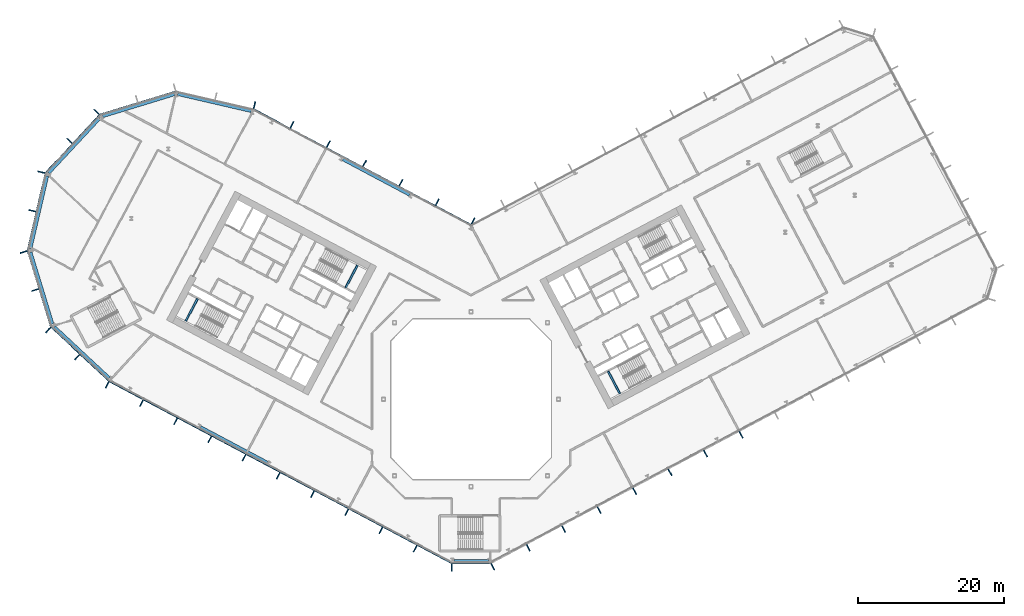
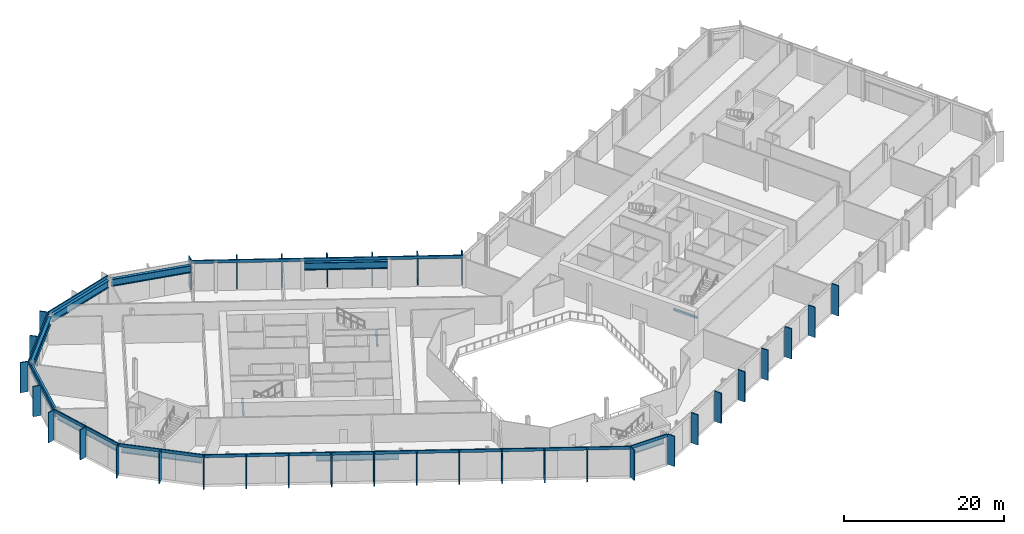
# One storey, part 7 of 31: 42 members, 12 beams, 10 elements without a shape of their own.
"""IFC4 building model written with IfcOpenShell, lengths in metres."""

import ifcopenshell
import ifcopenshell.guid

model = None  # the IFC model being written
_history = None  # IfcOwnerHistory: only IFC2X3 demands one
_inside = {}  # id of a spatial element -> (the spatial element, [elements in it])
_under = {}  # id of a project, library or spatial element -> (it, [spatial elements below it])
_declared = {}  # id of a project -> (the project, [libraries it declares])
_typed = {}  # id of a type object -> (the type object, [elements of that type])
_made_of = {}  # id of a material, layer set ... -> (it, [elements and type objects made of it])


def new_model(schema):
    """Start an empty IFC model of exactly this schema.

    Asked for "IFC4X3", IfcOpenShell would pick the latest addendum, in which some entities
    have other attributes; the version numbers below select the first issue.
    IFC2X3 requires an IfcOwnerHistory on every rooted entity: one is made here for all.
    """
    global model, _history
    if schema == "IFC4X3":
        model = ifcopenshell.file(schema_version=(4, 3, 0, 0))
    else:
        model = ifcopenshell.file(schema=schema)
    _inside.clear()
    _under.clear()
    _declared.clear()
    _typed.clear()
    _made_of.clear()
    _history = None
    if model.schema == "IFC2X3":
        org = make("IfcOrganization", Name="unknown")
        user = make(
            "IfcPersonAndOrganization",
            ThePerson=make("IfcPerson", FamilyName="unknown"),
            TheOrganization=org,
        )
        app = make(
            "IfcApplication",
            ApplicationDeveloper=org,
            Version="unknown",
            ApplicationFullName="unknown",
            ApplicationIdentifier="unknown",
        )
        _history = make(
            "IfcOwnerHistory",
            OwningUser=user,
            OwningApplication=app,
            ChangeAction="ADDED",
            CreationDate=0,
        )
    return model


def make(cls, **values):
    """One entity of the class cls with the attributes given. An attribute that is None is left unset."""
    return model.create_entity(
        cls, **{name: value for name, value in values.items() if value is not None}
    )


def rooted(cls, **values):
    """An entity with a GlobalId (a new one), such as an element, a storey or a relation."""
    return make(cls, GlobalId=ifcopenshell.guid.new(), OwnerHistory=_history, **values)


def si_unit(unit_type, name, prefix=None):
    """IfcSIUnit, for example si_unit("LENGTHUNIT", "METRE", prefix="MILLI")."""
    return make("IfcSIUnit", UnitType=unit_type, Prefix=prefix, Name=name)


def assignment(units):
    """IfcUnitAssignment: the units of a project."""
    return None if units is None else make("IfcUnitAssignment", Units=units)


def point(xyz):
    """IfcCartesianPoint."""
    return None if xyz is None else make("IfcCartesianPoint", Coordinates=xyz)


def direction(xyz):
    """IfcDirection."""
    return None if xyz is None else make("IfcDirection", DirectionRatios=xyz)


def frame(location, z_axis=None, x_axis=None):
    """IfcAxis2Placement3D, a coordinate frame: its origin and axes. An axis left out is left unset."""
    return make(
        "IfcAxis2Placement3D",
        Location=point(location),
        Axis=direction(z_axis),
        RefDirection=direction(x_axis),
    )


def frame_2d(location, x_axis=None):
    """IfcAxis2Placement2D, a coordinate frame in the plane: its origin and x axis."""
    return make(
        "IfcAxis2Placement2D", Location=point(location), RefDirection=direction(x_axis)
    )


def origin():
    """The frame at (0, 0, 0) with its axes left unset."""
    return frame((0.0, 0.0, 0.0))


def origin_2d():
    """The frame at (0, 0) in the plane with its x axis left unset."""
    return frame_2d((0.0, 0.0))


def place(relative_to, where):
    """IfcLocalPlacement: puts the frame where relative to a parent placement (None: the world)."""
    return make(
        "IfcLocalPlacement", PlacementRelTo=relative_to, RelativePlacement=where
    )


def context(
    kind, dimensions, precision=None, world=None, true_north=None, identifier=None
):
    """IfcGeometricRepresentationContext, for example the 3D "Model" context."""
    return make(
        "IfcGeometricRepresentationContext",
        ContextIdentifier=identifier,
        ContextType=kind,
        CoordinateSpaceDimension=dimensions,
        Precision=precision,
        WorldCoordinateSystem=world,
        TrueNorth=true_north,
    )


def subcontext(parent, identifier, kind, view, scale=None):
    """IfcGeometricRepresentationSubContext, for example "Body" below "Model"."""
    return make(
        "IfcGeometricRepresentationSubContext",
        ContextIdentifier=identifier,
        ContextType=kind,
        ParentContext=parent,
        TargetScale=scale,
        TargetView=view,
    )


def project(units=None, contexts=None):
    """IfcProject with its units and contexts."""
    return rooted(
        "IfcProject",
        Name="project",
        RepresentationContexts=contexts,
        UnitsInContext=assignment(units),
    )


def spatial(cls, under=None, at=None, **own):
    """A site, building, storey or space (cls), placed at a placement, below another one or the project."""
    s = rooted(cls, ObjectPlacement=at, **own)
    if under is not None:
        _under.setdefault(under.id(), (under, []))[1].append(s)
    return s


def profile(cls, at=None, kind="AREA", **sizes):
    """A parametric profile (cls). Its sizes go by their IFC names, for example OverallWidth=200.0."""
    return make(cls, ProfileType=kind, Position=at, **sizes)


def rectangle(**sizes):
    """IfcRectangleProfileDef."""
    return profile("IfcRectangleProfileDef", **sizes)


def i_section(**sizes):
    """IfcIShapeProfileDef."""
    return profile("IfcIShapeProfileDef", **sizes)


def extrude(swept, where, along, depth):
    """IfcExtrudedAreaSolid: the profile swept, set in the frame where, extruded along a direction by depth."""
    return make(
        "IfcExtrudedAreaSolid",
        SweptArea=swept,
        Position=where,
        ExtrudedDirection=direction(along),
        Depth=depth,
    )


def shape(context_of_items, identifier, shape_type, items):
    """IfcShapeRepresentation: the items that make up one representation, for example the "Body"."""
    return make(
        "IfcShapeRepresentation",
        ContextOfItems=context_of_items,
        RepresentationIdentifier=identifier,
        RepresentationType=shape_type,
        Items=items,
    )


def material(Name=None, Category=None):
    """IfcMaterial."""
    return make("IfcMaterial", Name=Name, Category=Category)


def layer(
    of_material, thickness, ventilated=None, Name=None, Category=None, Priority=None
):
    """IfcMaterialLayer: one layer of a wall or slab, of a material (None: an air gap)."""
    return make(
        "IfcMaterialLayer",
        Material=of_material,
        LayerThickness=thickness,
        IsVentilated=ventilated,
        Name=Name,
        Category=Category,
        Priority=Priority,
    )


def layer_set(layers, Name=None):
    """IfcMaterialLayerSet."""
    return make("IfcMaterialLayerSet", MaterialLayers=layers, LayerSetName=Name)


def material_profile(
    of_material, cross_section, Name=None, Category=None, Priority=None
):
    """IfcMaterialProfile: a cross section and its material."""
    return make(
        "IfcMaterialProfile",
        Name=Name,
        Material=of_material,
        Profile=cross_section,
        Priority=Priority,
        Category=Category,
    )


def profile_set(profiles, Name=None, composite=None):
    """IfcMaterialProfileSet."""
    return make(
        "IfcMaterialProfileSet",
        Name=Name,
        MaterialProfiles=profiles,
        CompositeProfile=composite,
    )


def made_of(thing, what):
    """Note that an element or type object is made of a material, layer set ...; save() writes the relation."""
    if what is not None:
        _made_of.setdefault(what.id(), (what, []))[1].append(thing)
    return thing


def type_object(cls, material=None, **own):
    """A type object (cls), such as IfcWallType, which elements share."""
    return made_of(rooted(cls, **own), material)


def element(
    cls,
    number,
    at=None,
    inside=None,
    cuts=None,
    type_object=None,
    material=None,
    context=None,
    identifier="Body",
    shape_type=None,
    held_by="IfcProductDefinitionShape",
    body=None,
    shapes=None,
    **own,
):
    """One element of the class cls, such as IfcWall. Its Tag is "e" and its number.

    at: its placement. inside: the storey or other place that contains it. cuts: it is an
    opening in that element (IfcRelVoidsElement). A single representation is given by context,
    identifier, shape_type and body (its items); several are given by shapes. held_by: the class
    of the entity that holds the representations. save() writes the other relations.
    """
    e = rooted(cls, Tag="e%d" % number, ObjectPlacement=at, **own)
    if body is not None:
        shapes = [shape(context, identifier, shape_type, body)]
    if shapes is not None:
        e.Representation = make(held_by, Representations=shapes)
    if inside is not None:
        _inside.setdefault(inside.id(), (inside, []))[1].append(e)
    if cuts is not None:
        rooted(
            "IfcRelVoidsElement", RelatingBuildingElement=cuts, RelatedOpeningElement=e
        )
    if type_object is not None:
        _typed.setdefault(type_object.id(), (type_object, []))[1].append(e)
    return made_of(e, material)


def aggregate(whole, parts):
    """IfcRelAggregates: a whole, such as a stair, and the parts it consists of."""
    return rooted("IfcRelAggregates", RelatingObject=whole, RelatedObjects=parts)


def save(model, path):
    """Write the relations noted so far, then the file.

    IfcRelAggregates (storeys below a building ...), IfcRelContainedInSpatialStructure (elements
    in a storey), IfcRelDefinesByType, IfcRelAssociatesMaterial and IfcRelDeclares: one each for
    every whole, place, type object, material and project.
    """
    for whole, parts in _under.values():
        aggregate(whole, parts)
    for where, things in _inside.values():
        rooted(
            "IfcRelContainedInSpatialStructure",
            RelatedElements=things,
            RelatingStructure=where,
        )
    for kind, things in _typed.values():
        rooted("IfcRelDefinesByType", RelatedObjects=things, RelatingType=kind)
    for what, things in _made_of.values():
        rooted("IfcRelAssociatesMaterial", RelatedObjects=things, RelatingMaterial=what)
    for by, libraries in _declared.values():
        rooted("IfcRelDeclares", RelatingContext=by, RelatedDefinitions=libraries)
    model.write(path)


model = new_model("IFC4")

# Units and contexts
model_context = context("Model", 3, precision=1e-05, world=origin(), true_north=direction((0.0, 1.0)))
body_context = subcontext(model_context, "Body", "Model", "MODEL_VIEW")
ifc_project = project(units=[si_unit("LENGTHUNIT", "METRE"), si_unit("AREAUNIT", "SQUARE_METRE"), si_unit("VOLUMEUNIT", "CUBIC_METRE"), si_unit("PLANEANGLEUNIT", "RADIAN"), si_unit("MASSUNIT", "GRAM", prefix="KILO")], contexts=[model_context])

# Site, building, storey
site_placement = place(None, origin())
site = spatial("IfcSite", under=ifc_project, at=site_placement, CompositionType="ELEMENT")
building_placement = place(site_placement, origin())
building = spatial("IfcBuilding", under=site, at=building_placement, Name="Cormorant Relay Tower", CompositionType="ELEMENT")
storey_placement = place(building_placement, frame((0.0, 0.0, 103.0)))
storey = spatial("IfcBuildingStorey", under=building, at=storey_placement, Name="L20", CompositionType="ELEMENT", Elevation=103.0)

# Curtain wall, member
ifc_material_1 = material(Name="Aluminium 6063-T6 anodised bronze", Category="aluminium")
ifc_layer = layer(ifc_material_1, 0.199951171875)
ifc_layer_set = layer_set([ifc_layer], Name="CW1 unitised bronze curtain wall with vertical fins")
curtain_wall_type = type_object("IfcCurtainWallType", Name="CW1 unitised bronze curtain wall with vertical fins", PredefinedType="NOTDEFINED", material=ifc_layer_set)
curtain_wall_1_placement = place(storey_placement, origin())
curtain_wall_1 = element("IfcCurtainWall", 1, at=curtain_wall_1_placement, inside=storey, type_object=curtain_wall_type, Name="CW1 curtain wall 1", PredefinedType="NOTDEFINED")
ifc_material_2 = material(Name="Aluminium 6063-T6 anodised bronze", Category="aluminium")
ifc_material_profile_1 = material_profile(ifc_material_2, rectangle(XDim=0.14990234375, YDim=1.0, at=origin_2d()), Name="AL 150x1000")
ifc_profile_set_1 = profile_set([ifc_material_profile_1], Name="Aluminium 6063-T6 anodised bronze")
member_type_1 = type_object("IfcMemberType", Name="CW1 bronze fin mullion 150 x 1000", PredefinedType="MULLION", material=ifc_profile_set_1)
member_1_placement = place(storey_placement, frame((-2.648681640625, -23.07568359375, 0.0), z_axis=(0.0, 0.0, 1.0), x_axis=(1.0, 0.0, 0.0)))
member_1 = element("IfcMember", 2, at=member_1_placement, type_object=member_type_1, Name="CW1 fin 1.1", PredefinedType="MULLION", context=body_context, shape_type="SweptSolid", body=[
    extrude(rectangle(XDim=0.14990234375, YDim=1.0, at=origin_2d()), origin(), (0.0, 0.0, 1.0), 4.60009765625),
])

# Curtain wall, members
curtain_wall_2_placement = place(storey_placement, origin())
curtain_wall_2 = element("IfcCurtainWall", 3, at=curtain_wall_2_placement, inside=storey, type_object=curtain_wall_type, Name="CW1 curtain wall 2", PredefinedType="NOTDEFINED")
member_2_placement = place(storey_placement, frame((2.9775390625, -22.99365234375, 0.0), z_axis=(0.0, 0.0, 1.0), x_axis=(0.882947592859, 0.469471562786, 0.0)))
member_2 = element("IfcMember", 4, at=member_2_placement, type_object=member_type_1, Name="CW1 fin 2.1", PredefinedType="MULLION", context=body_context, shape_type="SweptSolid", body=[
    extrude(rectangle(XDim=0.14990234375, YDim=1.0, at=origin_2d()), origin(), (0.0, 0.0, 1.0), 4.60009765625),
])
member_3_placement = place(storey_placement, frame((7.843994140625, -20.406005859375, 0.0), z_axis=(0.0, 0.0, 1.0), x_axis=(0.882947592859, 0.469471562786, 0.0)))
member_3 = element("IfcMember", 5, at=member_3_placement, type_object=member_type_1, Name="CW1 fin 2.2", PredefinedType="MULLION", context=body_context, shape_type="SweptSolid", body=[
    extrude(rectangle(XDim=0.14990234375, YDim=1.0, at=origin_2d()), origin(), (0.0, 0.0, 1.0), 4.60009765625),
])
member_4_placement = place(storey_placement, frame((12.710693359375, -17.818359375, 0.0), z_axis=(0.0, 0.0, 1.0), x_axis=(0.882947592859, 0.469471562786, 0.0)))
member_4 = element("IfcMember", 6, at=member_4_placement, type_object=member_type_1, Name="CW1 fin 2.3", PredefinedType="MULLION", context=body_context, shape_type="SweptSolid", body=[
    extrude(rectangle(XDim=0.14990234375, YDim=1.0, at=origin_2d()), origin(), (0.0, 0.0, 1.0), 4.60009765625),
])
member_5_placement = place(storey_placement, frame((17.577392578125, -15.230712890625, 0.0), z_axis=(0.0, 0.0, 1.0), x_axis=(0.882947592859, 0.469471562786, 0.0)))
member_5 = element("IfcMember", 7, at=member_5_placement, type_object=member_type_1, Name="CW1 fin 2.4", PredefinedType="MULLION", context=body_context, shape_type="SweptSolid", body=[
    extrude(rectangle(XDim=0.14990234375, YDim=1.0, at=origin_2d()), origin(), (0.0, 0.0, 1.0), 4.60009765625),
])
member_6_placement = place(storey_placement, frame((22.444091796875, -12.64306640625, 0.0), z_axis=(0.0, 0.0, 1.0), x_axis=(0.882947592859, 0.469471562786, 0.0)))
member_6 = element("IfcMember", 8, at=member_6_placement, type_object=member_type_1, Name="CW1 fin 2.5", PredefinedType="MULLION", context=body_context, shape_type="SweptSolid", body=[
    extrude(rectangle(XDim=0.14990234375, YDim=1.0, at=origin_2d()), origin(), (0.0, 0.0, 1.0), 4.60009765625),
])
member_7_placement = place(storey_placement, frame((27.310791015625, -10.055419921875, 0.0), z_axis=(0.0, 0.0, 1.0), x_axis=(0.882947592859, 0.469471562786, 0.0)))
member_7 = element("IfcMember", 9, at=member_7_placement, type_object=member_type_1, Name="CW1 fin 2.6", PredefinedType="MULLION", context=body_context, shape_type="SweptSolid", body=[
    extrude(rectangle(XDim=0.14990234375, YDim=1.0, at=origin_2d()), origin(), (0.0, 0.0, 1.0), 4.60009765625),
])
member_8_placement = place(storey_placement, frame((32.177490234375, -7.4677734375, 0.0), z_axis=(0.0, 0.0, 1.0), x_axis=(0.882947592859, 0.469471562786, 0.0)))
member_8 = element("IfcMember", 10, at=member_8_placement, type_object=member_type_1, Name="CW1 fin 2.7", PredefinedType="MULLION", context=body_context, shape_type="SweptSolid", body=[
    extrude(rectangle(XDim=0.14990234375, YDim=1.0, at=origin_2d()), origin(), (0.0, 0.0, 1.0), 4.60009765625),
])
member_9_placement = place(storey_placement, frame((37.044189453125, -4.8798828125, 0.0), z_axis=(0.0, 0.0, 1.0), x_axis=(0.882947592859, 0.469471562786, 0.0)))
member_9 = element("IfcMember", 11, at=member_9_placement, type_object=member_type_1, Name="CW1 fin 2.8", PredefinedType="MULLION", context=body_context, shape_type="SweptSolid", body=[
    extrude(rectangle(XDim=0.14990234375, YDim=1.0, at=origin_2d()), origin(), (0.0, 0.0, 1.0), 4.60009765625),
])
aggregate(curtain_wall_2, [member_2, member_3, member_4, member_5, member_6, member_7, member_8, member_9])

curtain_wall_3_placement = place(storey_placement, origin())
curtain_wall_3 = element("IfcCurtainWall", 12, at=curtain_wall_3_placement, inside=storey, type_object=curtain_wall_type, Name="CW1 curtain wall 7", PredefinedType="NOTDEFINED")
member_10_placement = place(storey_placement, frame((0.262451171875, 24.437255859375, 0.0), z_axis=(0.0, 0.0, 1.0), x_axis=(-0.882947592859, 0.469471562786, 0.0)))
member_10 = element("IfcMember", 13, at=member_10_placement, type_object=member_type_1, Name="CW1 fin 7.1", PredefinedType="MULLION", context=body_context, shape_type="SweptSolid", body=[
    extrude(rectangle(XDim=0.14990234375, YDim=1.0, at=origin_2d()), origin(), (0.0, 0.0, 1.0), 4.60009765625),
])
member_11_placement = place(storey_placement, frame((-4.650390625, 27.04931640625, 0.0), z_axis=(0.0, 0.0, 1.0), x_axis=(-0.882947592859, 0.469471562786, 0.0)))
member_11 = element("IfcMember", 14, at=member_11_placement, type_object=member_type_1, Name="CW1 fin 7.2", PredefinedType="MULLION", context=body_context, shape_type="SweptSolid", body=[
    extrude(rectangle(XDim=0.14990234375, YDim=1.0, at=origin_2d()), origin(), (0.0, 0.0, 1.0), 4.60009765625),
])
member_12_placement = place(storey_placement, frame((-9.62939453125, 29.69677734375, 0.0), z_axis=(0.0, 0.0, 1.0), x_axis=(-0.882947592859, 0.469471562786, 0.0)))
member_12 = element("IfcMember", 15, at=member_12_placement, type_object=member_type_1, Name="CW1 fin 7.3", PredefinedType="MULLION", context=body_context, shape_type="SweptSolid", body=[
    extrude(rectangle(XDim=0.14990234375, YDim=1.0, at=origin_2d()), origin(), (0.0, 0.0, 1.0), 4.60009765625),
])
member_13_placement = place(storey_placement, frame((-14.608154296875, 32.343994140625, 0.0), z_axis=(0.0, 0.0, 1.0), x_axis=(-0.882947592859, 0.469471562786, 0.0)))
member_13 = element("IfcMember", 16, at=member_13_placement, type_object=member_type_1, Name="CW1 fin 7.4", PredefinedType="MULLION", context=body_context, shape_type="SweptSolid", body=[
    extrude(rectangle(XDim=0.14990234375, YDim=1.0, at=origin_2d()), origin(), (0.0, 0.0, 1.0), 4.60009765625),
])
member_14_placement = place(storey_placement, frame((-19.587158203125, 34.991455078125, 0.0), z_axis=(0.0, 0.0, 1.0), x_axis=(-0.882947592859, 0.469471562786, 0.0)))
member_14 = element("IfcMember", 17, at=member_14_placement, type_object=member_type_1, Name="CW1 fin 7.5", PredefinedType="MULLION", context=body_context, shape_type="SweptSolid", body=[
    extrude(rectangle(XDim=0.14990234375, YDim=1.0, at=origin_2d()), origin(), (0.0, 0.0, 1.0), 4.60009765625),
])
member_15_placement = place(storey_placement, frame((-24.566162109375, 37.638916015625, 0.0), z_axis=(0.0, 0.0, 1.0), x_axis=(-0.882947592859, 0.469471562786, 0.0)))
member_15 = element("IfcMember", 18, at=member_15_placement, type_object=member_type_1, Name="CW1 fin 7.6", PredefinedType="MULLION", context=body_context, shape_type="SweptSolid", body=[
    extrude(rectangle(XDim=0.14990234375, YDim=1.0, at=origin_2d()), origin(), (0.0, 0.0, 1.0), 4.60009765625),
])

# Curtain wall, member
curtain_wall_4_placement = place(storey_placement, origin())
curtain_wall_4 = element("IfcCurtainWall", 19, at=curtain_wall_4_placement, inside=storey, type_object=curtain_wall_type, Name="CW1 curtain wall 8", PredefinedType="NOTDEFINED")
member_16_placement = place(storey_placement, frame((-29.71630859375, 40.35009765625, 0.0), z_axis=(0.0, 0.0, 1.0), x_axis=(-0.974370064785, 0.224951054344, 0.0)))
member_16 = element("IfcMember", 20, at=member_16_placement, type_object=member_type_1, Name="CW1 fin 8.1", PredefinedType="MULLION", context=body_context, shape_type="SweptSolid", body=[
    extrude(rectangle(XDim=0.14990234375, YDim=1.0, at=origin_2d()), origin(), (0.0, 0.0, 1.0), 4.60009765625),
])
aggregate(curtain_wall_4, [member_16])

# Curtain wall, members
curtain_wall_5_placement = place(storey_placement, origin())
curtain_wall_5 = element("IfcCurtainWall", 21, at=curtain_wall_5_placement, inside=storey, type_object=curtain_wall_type, Name="CW1 curtain wall 10", PredefinedType="NOTDEFINED")
member_17_placement = place(storey_placement, frame((-51.372802734375, 39.41259765625, 0.0), z_axis=(0.0, 0.0, 1.0), x_axis=(-0.681998360062, -0.731353701619, 0.0)))
member_17 = element("IfcMember", 22, at=member_17_placement, type_object=member_type_1, Name="CW1 fin 10.1", PredefinedType="MULLION", context=body_context, shape_type="SweptSolid", body=[
    extrude(rectangle(XDim=0.14990234375, YDim=1.0, at=origin_2d()), origin(), (0.0, 0.0, 1.0), 4.60009765625),
])
member_18_placement = place(storey_placement, frame((-55.07958984375, 35.4375, 0.0), z_axis=(0.0, 0.0, 1.0), x_axis=(-0.681998360062, -0.731353701619, 0.0)))
member_18 = element("IfcMember", 23, at=member_18_placement, type_object=member_type_1, Name="CW1 fin 10.2", PredefinedType="MULLION", context=body_context, shape_type="SweptSolid", body=[
    extrude(rectangle(XDim=0.14990234375, YDim=1.0, at=origin_2d()), origin(), (0.0, 0.0, 1.0), 4.60009765625),
])

curtain_wall_6_placement = place(storey_placement, origin())
curtain_wall_6 = element("IfcCurtainWall", 24, at=curtain_wall_6_placement, inside=storey, type_object=curtain_wall_type, Name="CW1 curtain wall 11", PredefinedType="NOTDEFINED")
member_19_placement = place(storey_placement, frame((-58.95654296875, 31.142578125, 0.0), z_axis=(0.0, 0.0, 1.0), x_axis=(-0.224951054344, -0.974370064785, 0.0)))
member_19 = element("IfcMember", 25, at=member_19_placement, type_object=member_type_1, Name="CW1 fin 11.1", PredefinedType="MULLION", context=body_context, shape_type="SweptSolid", body=[
    extrude(rectangle(XDim=0.14990234375, YDim=1.0, at=origin_2d()), origin(), (0.0, 0.0, 1.0), 4.60009765625),
])
member_20_placement = place(storey_placement, frame((-60.17919921875, 25.8466796875, 0.0), z_axis=(0.0, 0.0, 1.0), x_axis=(-0.224951054344, -0.974370064785, 0.0)))
member_20 = element("IfcMember", 26, at=member_20_placement, type_object=member_type_1, Name="CW1 fin 11.2", PredefinedType="MULLION", context=body_context, shape_type="SweptSolid", body=[
    extrude(rectangle(XDim=0.14990234375, YDim=1.0, at=origin_2d()), origin(), (0.0, 0.0, 1.0), 4.60009765625),
])

curtain_wall_7_placement = place(storey_placement, origin())
curtain_wall_7 = element("IfcCurtainWall", 27, at=curtain_wall_7_placement, inside=storey, type_object=curtain_wall_type, Name="CW1 curtain wall 12", PredefinedType="NOTDEFINED")
member_21_placement = place(storey_placement, frame((-61.389404296875, 20.188720703125, 0.0), z_axis=(0.0, 0.0, 1.0), x_axis=(0.292371704723, -0.956304755963, 0.0)))
member_21 = element("IfcMember", 28, at=member_21_placement, type_object=member_type_1, Name="CW1 fin 12.1", PredefinedType="MULLION", context=body_context, shape_type="SweptSolid", body=[
    extrude(rectangle(XDim=0.14990234375, YDim=1.0, at=origin_2d()), origin(), (0.0, 0.0, 1.0), 4.60009765625),
])
member_22_placement = place(storey_placement, frame((-59.80029296875, 14.990966796875, 0.0), z_axis=(0.0, 0.0, 1.0), x_axis=(0.292371704723, -0.956304755963, 0.0)))
member_22 = element("IfcMember", 29, at=member_22_placement, type_object=member_type_1, Name="CW1 fin 12.2", PredefinedType="MULLION", context=body_context, shape_type="SweptSolid", body=[
    extrude(rectangle(XDim=0.14990234375, YDim=1.0, at=origin_2d()), origin(), (0.0, 0.0, 1.0), 4.60009765625),
])

curtain_wall_8_placement = place(storey_placement, origin())
curtain_wall_8 = element("IfcCurtainWall", 30, at=curtain_wall_8_placement, inside=storey, type_object=curtain_wall_type, Name="CW1 curtain wall 13", PredefinedType="NOTDEFINED")
member_23_placement = place(storey_placement, frame((-58.01904296875, 9.486083984375, 0.0), z_axis=(0.0, 0.0, 1.0), x_axis=(0.731353701619, -0.681998360062, 0.0)))
member_23 = element("IfcMember", 31, at=member_23_placement, type_object=member_type_1, Name="CW1 fin 13.1", PredefinedType="MULLION", context=body_context, shape_type="SweptSolid", body=[
    extrude(rectangle(XDim=0.14990234375, YDim=1.0, at=origin_2d()), origin(), (0.0, 0.0, 1.0), 4.60009765625),
])
member_24_placement = place(storey_placement, frame((-54.0439453125, 5.779296875, 0.0), z_axis=(0.0, 0.0, 1.0), x_axis=(0.731353701619, -0.681998360062, 0.0)))
member_24 = element("IfcMember", 32, at=member_24_placement, type_object=member_type_1, Name="CW1 fin 13.2", PredefinedType="MULLION", context=body_context, shape_type="SweptSolid", body=[
    extrude(rectangle(XDim=0.14990234375, YDim=1.0, at=origin_2d()), origin(), (0.0, 0.0, 1.0), 4.60009765625),
])

curtain_wall_9_placement = place(storey_placement, origin())
curtain_wall_9 = element("IfcCurtainWall", 33, at=curtain_wall_9_placement, inside=storey, type_object=curtain_wall_type, Name="CW1 curtain wall 14", PredefinedType="NOTDEFINED")
member_25_placement = place(storey_placement, frame((-49.920166015625, 1.96630859375, 0.0), z_axis=(0.0, 0.0, 1.0), x_axis=(0.882947592859, -0.469471562786, 0.0)))
member_25 = element("IfcMember", 34, at=member_25_placement, type_object=member_type_1, Name="CW1 fin 14.1", PredefinedType="MULLION", context=body_context, shape_type="SweptSolid", body=[
    extrude(rectangle(XDim=0.14990234375, YDim=1.0, at=origin_2d()), origin(), (0.0, 0.0, 1.0), 4.60009765625),
])
member_26_placement = place(storey_placement, frame((-45.225830078125, -0.52978515625, 0.0), z_axis=(0.0, 0.0, 1.0), x_axis=(0.882947592859, -0.469471562786, 0.0)))
member_26 = element("IfcMember", 35, at=member_26_placement, type_object=member_type_1, Name="CW1 fin 14.2", PredefinedType="MULLION", context=body_context, shape_type="SweptSolid", body=[
    extrude(rectangle(XDim=0.14990234375, YDim=1.0, at=origin_2d()), origin(), (0.0, 0.0, 1.0), 4.60009765625),
])
member_27_placement = place(storey_placement, frame((-40.531494140625, -3.025634765625, 0.0), z_axis=(0.0, 0.0, 1.0), x_axis=(0.882947592859, -0.469471562786, 0.0)))
member_27 = element("IfcMember", 36, at=member_27_placement, type_object=member_type_1, Name="CW1 fin 14.3", PredefinedType="MULLION", context=body_context, shape_type="SweptSolid", body=[
    extrude(rectangle(XDim=0.14990234375, YDim=1.0, at=origin_2d()), origin(), (0.0, 0.0, 1.0), 4.60009765625),
])
member_28_placement = place(storey_placement, frame((-35.83740234375, -5.521728515625, 0.0), z_axis=(0.0, 0.0, 1.0), x_axis=(0.882947592859, -0.469471562786, 0.0)))
member_28 = element("IfcMember", 37, at=member_28_placement, type_object=member_type_1, Name="CW1 fin 14.4", PredefinedType="MULLION", context=body_context, shape_type="SweptSolid", body=[
    extrude(rectangle(XDim=0.14990234375, YDim=1.0, at=origin_2d()), origin(), (0.0, 0.0, 1.0), 4.60009765625),
])
member_29_placement = place(storey_placement, frame((-31.14306640625, -8.017578125, 0.0), z_axis=(0.0, 0.0, 1.0), x_axis=(0.882947592859, -0.469471562786, 0.0)))
member_29 = element("IfcMember", 38, at=member_29_placement, type_object=member_type_1, Name="CW1 fin 14.5", PredefinedType="MULLION", context=body_context, shape_type="SweptSolid", body=[
    extrude(rectangle(XDim=0.14990234375, YDim=1.0, at=origin_2d()), origin(), (0.0, 0.0, 1.0), 4.60009765625),
])
member_30_placement = place(storey_placement, frame((-26.44873046875, -10.513671875, 0.0), z_axis=(0.0, 0.0, 1.0), x_axis=(0.882947592859, -0.469471562786, 0.0)))
member_30 = element("IfcMember", 39, at=member_30_placement, type_object=member_type_1, Name="CW1 fin 14.6", PredefinedType="MULLION", context=body_context, shape_type="SweptSolid", body=[
    extrude(rectangle(XDim=0.14990234375, YDim=1.0, at=origin_2d()), origin(), (0.0, 0.0, 1.0), 4.60009765625),
])
member_31_placement = place(storey_placement, frame((-21.754638671875, -13.009765625, 0.0), z_axis=(0.0, 0.0, 1.0), x_axis=(0.882947592859, -0.469471562786, 0.0)))
member_31 = element("IfcMember", 40, at=member_31_placement, type_object=member_type_1, Name="CW1 fin 14.7", PredefinedType="MULLION", context=body_context, shape_type="SweptSolid", body=[
    extrude(rectangle(XDim=0.14990234375, YDim=1.0, at=origin_2d()), origin(), (0.0, 0.0, 1.0), 4.60009765625),
])
member_32_placement = place(storey_placement, frame((-17.060302734375, -15.505615234375, 0.0), z_axis=(0.0, 0.0, 1.0), x_axis=(0.882947592859, -0.469471562786, 0.0)))
member_32 = element("IfcMember", 41, at=member_32_placement, type_object=member_type_1, Name="CW1 fin 14.8", PredefinedType="MULLION", context=body_context, shape_type="SweptSolid", body=[
    extrude(rectangle(XDim=0.14990234375, YDim=1.0, at=origin_2d()), origin(), (0.0, 0.0, 1.0), 4.60009765625),
])
member_33_placement = place(storey_placement, frame((-12.365966796875, -18.001708984375, 0.0), z_axis=(0.0, 0.0, 1.0), x_axis=(0.882947592859, -0.469471562786, 0.0)))
member_33 = element("IfcMember", 42, at=member_33_placement, type_object=member_type_1, Name="CW1 fin 14.9", PredefinedType="MULLION", context=body_context, shape_type="SweptSolid", body=[
    extrude(rectangle(XDim=0.14990234375, YDim=1.0, at=origin_2d()), origin(), (0.0, 0.0, 1.0), 4.60009765625),
])
member_34_placement = place(storey_placement, frame((-7.671630859375, -20.49755859375, 0.0), z_axis=(0.0, 0.0, 1.0), x_axis=(0.882947592859, -0.469471562786, 0.0)))
member_34 = element("IfcMember", 43, at=member_34_placement, type_object=member_type_1, Name="CW1 fin 14.10", PredefinedType="MULLION", context=body_context, shape_type="SweptSolid", body=[
    extrude(rectangle(XDim=0.14990234375, YDim=1.0, at=origin_2d()), origin(), (0.0, 0.0, 1.0), 4.60009765625),
])

# Member
ifc_material_3 = material(Name="Aluminium 6063-T6 anodised bronze", Category="aluminium")
ifc_material_profile_2 = material_profile(ifc_material_3, rectangle(XDim=0.159912109375, YDim=0.449951171875, at=origin_2d()), Name="AL 160x450")
ifc_profile_set_2 = profile_set([ifc_material_profile_2], Name="Aluminium 6063-T6 anodised bronze")
member_type_2 = type_object("IfcMemberType", Name="CW1 bronze transom 160 x 450", PredefinedType="USERDEFINED", material=ifc_profile_set_2)
member_35_placement = place(storey_placement, frame((-2.648681640625, -22.49560546875, 4.375), z_axis=(1.0, 0.0, 0.0), x_axis=(0.0, 1.0, 0.0)))
member_35 = element("IfcMember", 44, at=member_35_placement, type_object=member_type_2, Name="CW1 transom 1", ObjectType="TRANSOM", PredefinedType="USERDEFINED", context=body_context, shape_type="SweptSolid", body=[
    extrude(rectangle(XDim=0.159912109375, YDim=0.449951171875, at=origin_2d()), origin(), (0.0, 0.0, 1.0), 5.29736328125),
])

aggregate(curtain_wall_1, [member_1, member_35])

member_36_placement = place(storey_placement, frame((0.056396484375, 23.889892578125, 4.375), z_axis=(-0.882946280328, 0.46947403129, 0.0), x_axis=(-0.46947403129, -0.882946280328, 0.0)))
member_36 = element("IfcMember", 45, at=member_36_placement, type_object=member_type_2, Name="CW1 transom 7", ObjectType="TRANSOM", PredefinedType="USERDEFINED", context=body_context, shape_type="SweptSolid", body=[
    extrude(rectangle(XDim=0.159912109375, YDim=0.449951171875, at=origin_2d()), origin(), (0.0, 0.0, 1.0), 33.834228515625),
])

aggregate(curtain_wall_3, [member_10, member_11, member_12, member_13, member_14, member_15, member_36])

# Curtain wall, member
curtain_wall_10_placement = place(storey_placement, origin())
curtain_wall_10 = element("IfcCurtainWall", 46, at=curtain_wall_10_placement, inside=storey, type_object=curtain_wall_type, Name="CW1 curtain wall 9", PredefinedType="NOTDEFINED")
member_37_placement = place(storey_placement, frame((-40.50048828125, 42.228271484375, 4.375), z_axis=(-0.956304833932, -0.292371449698, 0.0), x_axis=(0.292371449698, -0.956304833932, 0.0)))
member_37 = element("IfcMember", 47, at=member_37_placement, type_object=member_type_2, Name="CW1 transom 9", ObjectType="TRANSOM", PredefinedType="USERDEFINED", context=body_context, shape_type="SweptSolid", body=[
    extrude(rectangle(XDim=0.159912109375, YDim=0.449951171875, at=origin_2d()), origin(), (0.0, 0.0, 1.0), 10.87060546875),
])
aggregate(curtain_wall_10, [member_37])

# Member
member_38_placement = place(storey_placement, frame((-50.94873046875, 39.01708984375, 4.375), z_axis=(-0.681993299437, -0.731358420696, 0.0), x_axis=(0.731358420696, -0.681993299437, 0.0)))
member_38 = element("IfcMember", 48, at=member_38_placement, type_object=member_type_2, Name="CW1 transom 10", ObjectType="TRANSOM", PredefinedType="USERDEFINED", context=body_context, shape_type="SweptSolid", body=[
    extrude(rectangle(XDim=0.159912109375, YDim=0.449951171875, at=origin_2d()), origin(), (0.0, 0.0, 1.0), 10.870361328125),
])

aggregate(curtain_wall_5, [member_17, member_18, member_38])

member_39_placement = place(storey_placement, frame((-58.3916015625, 31.01220703125, 4.375), z_axis=(-0.22495136131, -0.974369993916, 0.0), x_axis=(0.974369993916, -0.22495136131, 0.0)))
member_39 = element("IfcMember", 49, at=member_39_placement, type_object=member_type_2, Name="CW1 transom 11", ObjectType="TRANSOM", PredefinedType="USERDEFINED", context=body_context, shape_type="SweptSolid", body=[
    extrude(rectangle(XDim=0.159912109375, YDim=0.449951171875, at=origin_2d()), origin(), (0.0, 0.0, 1.0), 10.870361328125),
])

aggregate(curtain_wall_6, [member_19, member_20, member_39])

member_40_placement = place(storey_placement, frame((-60.834716796875, 20.358154296875, 4.375), z_axis=(0.292377729282, -0.95630291405, 0.0), x_axis=(0.95630291405, 0.292377729282, 0.0)))
member_40 = element("IfcMember", 50, at=member_40_placement, type_object=member_type_2, Name="CW1 transom 12", ObjectType="TRANSOM", PredefinedType="USERDEFINED", context=body_context, shape_type="SweptSolid", body=[
    extrude(rectangle(XDim=0.159912109375, YDim=0.449951171875, at=origin_2d()), origin(), (0.0, 0.0, 1.0), 10.870361328125),
])

aggregate(curtain_wall_7, [member_21, member_22, member_40])

member_41_placement = place(storey_placement, frame((-57.62353515625, 9.91015625, 4.375), z_axis=(0.731358420696, -0.681993299437, 0.0), x_axis=(0.681993299437, 0.731358420696, 0.0)))
member_41 = element("IfcMember", 51, at=member_41_placement, type_object=member_type_2, Name="CW1 transom 13", ObjectType="TRANSOM", PredefinedType="USERDEFINED", context=body_context, shape_type="SweptSolid", body=[
    extrude(rectangle(XDim=0.159912109375, YDim=0.449951171875, at=origin_2d()), origin(), (0.0, 0.0, 1.0), 10.870361328125),
])

aggregate(curtain_wall_8, [member_23, member_24, member_41])

member_42_placement = place(storey_placement, frame((-49.64794921875, 2.478515625, 4.375), z_axis=(0.882947642542, -0.469471469346, 0.0), x_axis=(0.469471469346, 0.882947642542, 0.0)))
member_42 = element("IfcMember", 52, at=member_42_placement, type_object=member_type_2, Name="CW1 transom 14", ObjectType="TRANSOM", PredefinedType="USERDEFINED", context=body_context, shape_type="SweptSolid", body=[
    extrude(rectangle(XDim=0.159912109375, YDim=0.449951171875, at=origin_2d()), origin(), (0.0, 0.0, 1.0), 53.166015625),
])

aggregate(curtain_wall_9, [member_25, member_26, member_27, member_28, member_29, member_30, member_31, member_32, member_33, member_34, member_42])

# Beams
ifc_material_4 = material(Name="Steel ASTM A992 (Fy 345 MPa)", Category="steel")
ifc_material_profile_3 = material_profile(ifc_material_4, i_section(OverallWidth=0.40380859375, OverallDepth=1.11767578125, WebThickness=0.026123046875, FlangeThickness=0.044921875, FilletRadius=0.02001953125, at=origin_2d()), Name="W1100x499")
ifc_profile_set_3 = profile_set([ifc_material_profile_3], Name="Steel ASTM A992 (Fy 345 MPa)")
beam_type_1 = type_object("IfcBeamType", Name="Spandrel W1100x499", PredefinedType="SPANDREL", material=ifc_profile_set_3)
beam_1_placement = place(storey_placement, frame((-2.3486328125, -22.173583984375, 3.64111328125), z_axis=(1.0, 0.0, 0.0), x_axis=(0.0, 1.0, 0.0)))
element("IfcBeam", 53, at=beam_1_placement, inside=storey, type_object=beam_type_1, Name="Spandrel beam L20-001", PredefinedType="SPANDREL", context=body_context, shape_type="SweptSolid", body=[
    extrude(i_section(OverallWidth=0.40380859375, OverallDepth=1.11767578125, WebThickness=0.026123046875, FlangeThickness=0.044921875, FilletRadius=0.02001953125, at=origin_2d()), origin(), (0.0, 0.0, 1.0), 4.736083984375),
])
beam_2_placement = place(storey_placement, frame((-8.435302734375, 28.040283203125, 3.64111328125), z_axis=(-0.882946891921, 0.469472881056, 0.0), x_axis=(-0.469472881056, -0.882946891921, 0.0)))
element("IfcBeam", 54, at=beam_2_placement, inside=storey, type_object=beam_type_1, Name="Spandrel beam L20-007", PredefinedType="SPANDREL", context=body_context, shape_type="SweptSolid", body=[
    extrude(i_section(OverallWidth=0.40380859375, OverallDepth=1.11767578125, WebThickness=0.026123046875, FlangeThickness=0.044921875, FilletRadius=0.02001953125, at=origin_2d()), origin(), (0.0, 0.0, 1.0), 10.376220703125),
])
beam_3_placement = place(storey_placement, frame((-30.171142578125, 39.529541015625, 3.64111328125), z_axis=(-0.974368523335, 0.224957730996, 0.0), x_axis=(-0.224957730996, -0.974368523335, 0.0)))
element("IfcBeam", 55, at=beam_3_placement, inside=storey, type_object=beam_type_1, Name="Spandrel beam L20-008", PredefinedType="SPANDREL", context=body_context, shape_type="SweptSolid", body=[
    extrude(i_section(OverallWidth=0.40380859375, OverallDepth=1.11767578125, WebThickness=0.026123046875, FlangeThickness=0.044921875, FilletRadius=0.02001953125, at=origin_2d()), origin(), (0.0, 0.0, 1.0), 10.346923828125),
])
beam_4_placement = place(storey_placement, frame((-40.70166015625, 41.830078125, 3.64111328125), z_axis=(-0.956304442866, -0.292372728814, 0.0), x_axis=(0.292372728814, -0.956304442866, 0.0)))
element("IfcBeam", 56, at=beam_4_placement, inside=storey, type_object=beam_type_1, Name="Spandrel beam L20-009", PredefinedType="SPANDREL", context=body_context, shape_type="SweptSolid", body=[
    extrude(i_section(OverallWidth=0.40380859375, OverallDepth=1.11767578125, WebThickness=0.026123046875, FlangeThickness=0.044921875, FilletRadius=0.02001953125, at=origin_2d()), origin(), (0.0, 0.0, 1.0), 10.297607421875),
])
for number, where, z_axis, x_axis, name in (
    (57, (-50.924072265625, 38.571533203125, 3.64111328125), (-0.681993790146, -0.731357963108, 0.0), (0.731357963108, -0.681993790146, 0.0), "Spandrel beam L20-010"),
    (58, (-58.147216796875, 30.638671875, 3.64111328125), (-0.224939161738, -0.974372810333, 0.0), (0.974372810333, -0.224939161738, 0.0), "Spandrel beam L20-011"),
):
    element("IfcBeam", number, at=place(storey_placement, frame(where, z_axis=z_axis, x_axis=x_axis)), inside=storey, type_object=beam_type_1, Name=name, PredefinedType="SPANDREL", context=body_context, shape_type="SweptSolid", body=[
        extrude(i_section(OverallWidth=0.40380859375, OverallDepth=1.11767578125, WebThickness=0.026123046875, FlangeThickness=0.044921875, FilletRadius=0.02001953125, at=origin_2d()), origin(), (0.0, 0.0, 1.0), 10.296875),
    ])
beam_5_placement = place(storey_placement, frame((-60.4365234375, 20.1572265625, 3.64111328125), z_axis=(0.292372728814, -0.956304442866, 0.0), x_axis=(0.956304442866, 0.292372728814, 0.0)))
element("IfcBeam", 59, at=beam_5_placement, inside=storey, type_object=beam_type_1, Name="Spandrel beam L20-012", PredefinedType="SPANDREL", context=body_context, shape_type="SweptSolid", body=[
    extrude(i_section(OverallWidth=0.40380859375, OverallDepth=1.11767578125, WebThickness=0.026123046875, FlangeThickness=0.044921875, FilletRadius=0.02001953125, at=origin_2d()), origin(), (0.0, 0.0, 1.0), 10.297607421875),
])
beam_6_placement = place(storey_placement, frame((-57.177734375, 9.934814453125, 3.64111328125), z_axis=(0.731345431457, -0.682007228617, 0.0), x_axis=(0.682007228617, 0.731345431457, 0.0)))
element("IfcBeam", 60, at=beam_6_placement, inside=storey, type_object=beam_type_1, Name="Spandrel beam L20-013", PredefinedType="SPANDREL", context=body_context, shape_type="SweptSolid", body=[
    extrude(i_section(OverallWidth=0.40380859375, OverallDepth=1.11767578125, WebThickness=0.026123046875, FlangeThickness=0.044921875, FilletRadius=0.02001953125, at=origin_2d()), origin(), (0.0, 0.0, 1.0), 10.322265625),
])
beam_7_placement = place(storey_placement, frame((-37.124755859375, -3.815673828125, 3.64111328125), z_axis=(0.882946891921, -0.469472881056, 0.0), x_axis=(0.469472881056, 0.882946891921, 0.0)))
element("IfcBeam", 61, at=beam_7_placement, inside=storey, type_object=beam_type_1, Name="Spandrel beam L20-014", PredefinedType="SPANDREL", context=body_context, shape_type="SweptSolid", body=[
    extrude(i_section(OverallWidth=0.40380859375, OverallDepth=1.11767578125, WebThickness=0.026123046875, FlangeThickness=0.044921875, FilletRadius=0.02001953125, at=origin_2d()), origin(), (0.0, 0.0, 1.0), 10.376220703125),
])
ifc_material_5 = material(Name="Concrete 50 MPa", Category="concrete")
ifc_material_profile_4 = material_profile(ifc_material_5, rectangle(XDim=0.25, YDim=0.300048828125, at=origin_2d()), Name="RC 250x300")
ifc_profile_set_4 = profile_set([ifc_material_profile_4], Name="Concrete 50 MPa")
beam_type_2 = type_object("IfcBeamType", Name="Stair landing ledge beam 250x300", PredefinedType="BEAM", material=ifc_profile_set_4)
beam_8_placement = place(storey_placement, frame((-17.215087890625, 15.325927734375, 1.949951171875), z_axis=(0.469519084434, 0.88292232351, 0.0), x_axis=(-0.88292232351, 0.469519084434, 0.0)))
element("IfcBeam", 62, at=beam_8_placement, inside=storey, type_object=beam_type_2, Name="A1 landing ledge beam", PredefinedType="BEAM", context=body_context, shape_type="SweptSolid", body=[
    extrude(rectangle(XDim=0.25, YDim=0.300048828125, at=origin_2d()), origin(), (0.0, 0.0, 1.0), 3.449951171875),
])
for number, where, z_axis, x_axis, name in (
    (63, (-37.52783203125, 13.781494140625, 1.949951171875), (-0.469434585424, -0.882967253078, 0.0), (0.882967253078, -0.469434585424, 0.0), "A2 landing ledge beam"),
    (64, (18.80029296875, 3.823974609375, 1.949951171875), (0.469489750874, -0.88293792184, 0.0), (0.88293792184, 0.469489750874, 0.0), "B1 landing ledge beam"),
):
    element("IfcBeam", number, at=place(storey_placement, frame(where, z_axis=z_axis, x_axis=x_axis)), inside=storey, type_object=beam_type_2, Name=name, PredefinedType="BEAM", context=body_context, shape_type="SweptSolid", body=[
        extrude(rectangle(XDim=0.25, YDim=0.300048828125, at=origin_2d()), origin(), (0.0, 0.0, 1.0), 3.4501953125),
    ])

save(model, "model.ifc")
